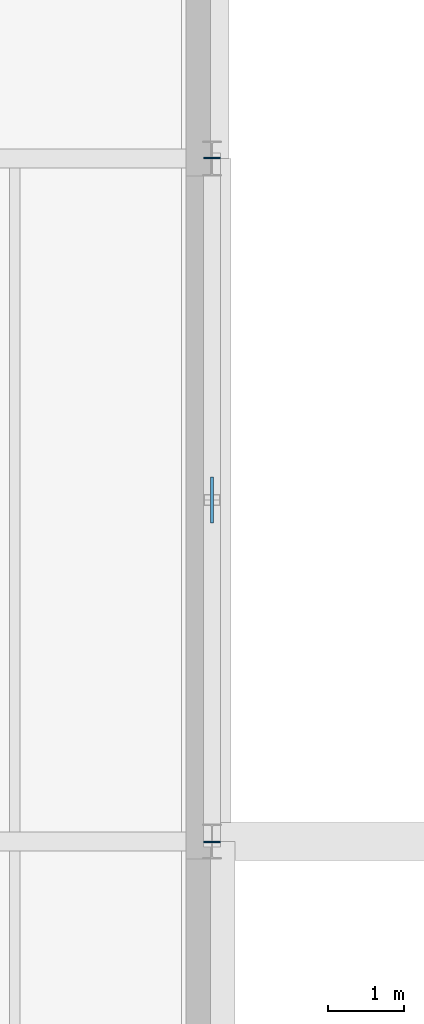
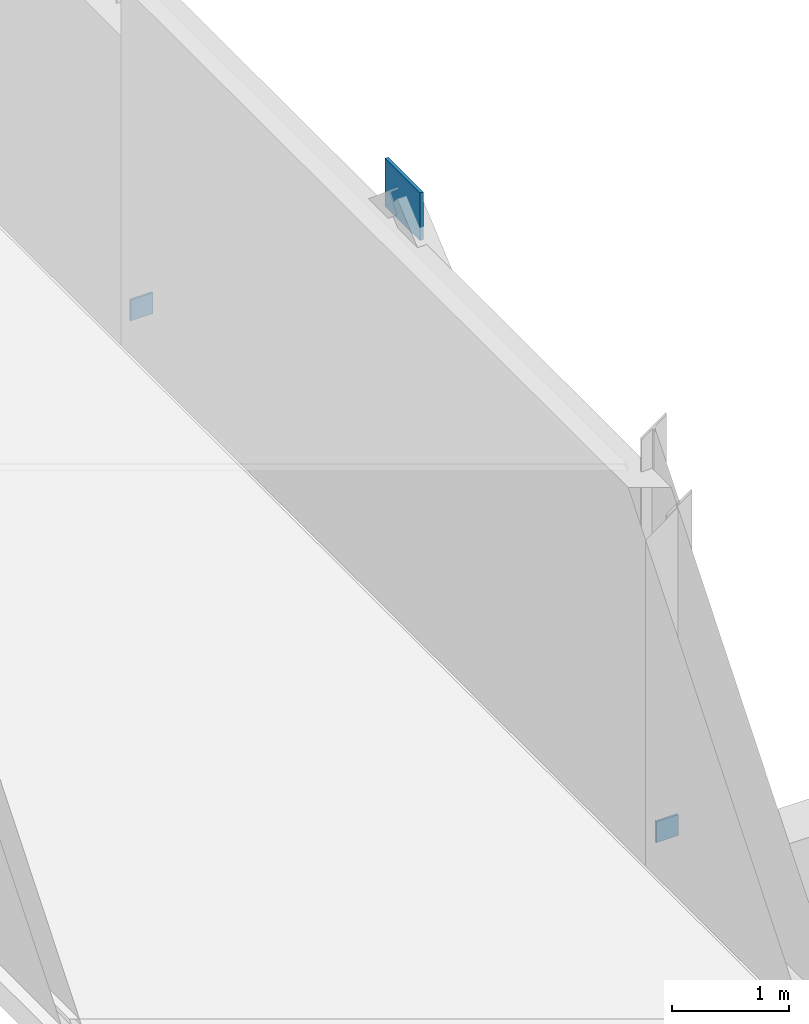
# One storey, part 67 of 85: 3 plates.
"""IFC4 building model written with IfcOpenShell, lengths in metres."""

import ifcopenshell
import ifcopenshell.guid

model = None  # the IFC model being written
_history = None  # IfcOwnerHistory: only IFC2X3 demands one
_inside = {}  # id of a spatial element -> (the spatial element, [elements in it])
_under = {}  # id of a project, library or spatial element -> (it, [spatial elements below it])
_declared = {}  # id of a project -> (the project, [libraries it declares])
_typed = {}  # id of a type object -> (the type object, [elements of that type])
_made_of = {}  # id of a material, layer set ... -> (it, [elements and type objects made of it])


def new_model(schema):
    """Start an empty IFC model of exactly this schema.

    Asked for "IFC4X3", IfcOpenShell would pick the latest addendum, in which some entities
    have other attributes; the version numbers below select the first issue.
    IFC2X3 requires an IfcOwnerHistory on every rooted entity: one is made here for all.
    """
    global model, _history
    if schema == "IFC4X3":
        model = ifcopenshell.file(schema_version=(4, 3, 0, 0))
    else:
        model = ifcopenshell.file(schema=schema)
    _inside.clear()
    _under.clear()
    _declared.clear()
    _typed.clear()
    _made_of.clear()
    _history = None
    if model.schema == "IFC2X3":
        org = make("IfcOrganization", Name="unknown")
        user = make(
            "IfcPersonAndOrganization",
            ThePerson=make("IfcPerson", FamilyName="unknown"),
            TheOrganization=org,
        )
        app = make(
            "IfcApplication",
            ApplicationDeveloper=org,
            Version="unknown",
            ApplicationFullName="unknown",
            ApplicationIdentifier="unknown",
        )
        _history = make(
            "IfcOwnerHistory",
            OwningUser=user,
            OwningApplication=app,
            ChangeAction="ADDED",
            CreationDate=0,
        )
    return model


def make(cls, **values):
    """One entity of the class cls with the attributes given. An attribute that is None is left unset."""
    return model.create_entity(
        cls, **{name: value for name, value in values.items() if value is not None}
    )


def rooted(cls, **values):
    """An entity with a GlobalId (a new one), such as an element, a storey or a relation."""
    return make(cls, GlobalId=ifcopenshell.guid.new(), OwnerHistory=_history, **values)


def si_unit(unit_type, name, prefix=None):
    """IfcSIUnit, for example si_unit("LENGTHUNIT", "METRE", prefix="MILLI")."""
    return make("IfcSIUnit", UnitType=unit_type, Prefix=prefix, Name=name)


def derived_unit(unit_type, elements):
    """IfcDerivedUnit: a product of units, each with its exponent."""
    return make(
        "IfcDerivedUnit",
        Elements=[
            make("IfcDerivedUnitElement", Unit=unit, Exponent=power)
            for unit, power in elements
        ],
        UnitType=unit_type,
    )


def assignment(units):
    """IfcUnitAssignment: the units of a project."""
    return None if units is None else make("IfcUnitAssignment", Units=units)


def point(xyz):
    """IfcCartesianPoint."""
    return None if xyz is None else make("IfcCartesianPoint", Coordinates=xyz)


def direction(xyz):
    """IfcDirection."""
    return None if xyz is None else make("IfcDirection", DirectionRatios=xyz)


def frame(location, z_axis=None, x_axis=None):
    """IfcAxis2Placement3D, a coordinate frame: its origin and axes. An axis left out is left unset."""
    return make(
        "IfcAxis2Placement3D",
        Location=point(location),
        Axis=direction(z_axis),
        RefDirection=direction(x_axis),
    )


def frame_2d(location, x_axis=None):
    """IfcAxis2Placement2D, a coordinate frame in the plane: its origin and x axis."""
    return make(
        "IfcAxis2Placement2D", Location=point(location), RefDirection=direction(x_axis)
    )


def origin():
    """The frame at (0, 0, 0) with its axes left unset."""
    return frame((0.0, 0.0, 0.0))


def origin_2d():
    """The frame at (0, 0) in the plane with its x axis left unset."""
    return frame_2d((0.0, 0.0))


def place(relative_to, where):
    """IfcLocalPlacement: puts the frame where relative to a parent placement (None: the world)."""
    return make(
        "IfcLocalPlacement", PlacementRelTo=relative_to, RelativePlacement=where
    )


def context(
    kind, dimensions, precision=None, world=None, true_north=None, identifier=None
):
    """IfcGeometricRepresentationContext, for example the 3D "Model" context."""
    return make(
        "IfcGeometricRepresentationContext",
        ContextIdentifier=identifier,
        ContextType=kind,
        CoordinateSpaceDimension=dimensions,
        Precision=precision,
        WorldCoordinateSystem=world,
        TrueNorth=true_north,
    )


def subcontext(parent, identifier, kind, view, scale=None):
    """IfcGeometricRepresentationSubContext, for example "Body" below "Model"."""
    return make(
        "IfcGeometricRepresentationSubContext",
        ContextIdentifier=identifier,
        ContextType=kind,
        ParentContext=parent,
        TargetScale=scale,
        TargetView=view,
    )


def project(units=None, contexts=None):
    """IfcProject with its units and contexts."""
    return rooted(
        "IfcProject",
        Name="project",
        RepresentationContexts=contexts,
        UnitsInContext=assignment(units),
    )


def spatial(cls, under=None, at=None, **own):
    """A site, building, storey or space (cls), placed at a placement, below another one or the project."""
    s = rooted(cls, ObjectPlacement=at, **own)
    if under is not None:
        _under.setdefault(under.id(), (under, []))[1].append(s)
    return s


def profile(cls, at=None, kind="AREA", **sizes):
    """A parametric profile (cls). Its sizes go by their IFC names, for example OverallWidth=200.0."""
    return make(cls, ProfileType=kind, Position=at, **sizes)


def rectangle(**sizes):
    """IfcRectangleProfileDef."""
    return profile("IfcRectangleProfileDef", **sizes)


def extrude(swept, where, along, depth):
    """IfcExtrudedAreaSolid: the profile swept, set in the frame where, extruded along a direction by depth."""
    return make(
        "IfcExtrudedAreaSolid",
        SweptArea=swept,
        Position=where,
        ExtrudedDirection=direction(along),
        Depth=depth,
    )


def shape(context_of_items, identifier, shape_type, items):
    """IfcShapeRepresentation: the items that make up one representation, for example the "Body"."""
    return make(
        "IfcShapeRepresentation",
        ContextOfItems=context_of_items,
        RepresentationIdentifier=identifier,
        RepresentationType=shape_type,
        Items=items,
    )


def material(Name=None, Category=None):
    """IfcMaterial."""
    return make("IfcMaterial", Name=Name, Category=Category)


def layer(
    of_material, thickness, ventilated=None, Name=None, Category=None, Priority=None
):
    """IfcMaterialLayer: one layer of a wall or slab, of a material (None: an air gap)."""
    return make(
        "IfcMaterialLayer",
        Material=of_material,
        LayerThickness=thickness,
        IsVentilated=ventilated,
        Name=Name,
        Category=Category,
        Priority=Priority,
    )


def layer_set(layers, Name=None):
    """IfcMaterialLayerSet."""
    return make("IfcMaterialLayerSet", MaterialLayers=layers, LayerSetName=Name)


def made_of(thing, what):
    """Note that an element or type object is made of a material, layer set ...; save() writes the relation."""
    if what is not None:
        _made_of.setdefault(what.id(), (what, []))[1].append(thing)
    return thing


def type_object(cls, material=None, **own):
    """A type object (cls), such as IfcWallType, which elements share."""
    return made_of(rooted(cls, **own), material)


def element(
    cls,
    number,
    at=None,
    inside=None,
    cuts=None,
    type_object=None,
    material=None,
    context=None,
    identifier="Body",
    shape_type=None,
    held_by="IfcProductDefinitionShape",
    body=None,
    shapes=None,
    **own,
):
    """One element of the class cls, such as IfcWall. Its Tag is "e" and its number.

    at: its placement. inside: the storey or other place that contains it. cuts: it is an
    opening in that element (IfcRelVoidsElement). A single representation is given by context,
    identifier, shape_type and body (its items); several are given by shapes. held_by: the class
    of the entity that holds the representations. save() writes the other relations.
    """
    e = rooted(cls, Tag="e%d" % number, ObjectPlacement=at, **own)
    if body is not None:
        shapes = [shape(context, identifier, shape_type, body)]
    if shapes is not None:
        e.Representation = make(held_by, Representations=shapes)
    if inside is not None:
        _inside.setdefault(inside.id(), (inside, []))[1].append(e)
    if cuts is not None:
        rooted(
            "IfcRelVoidsElement", RelatingBuildingElement=cuts, RelatedOpeningElement=e
        )
    if type_object is not None:
        _typed.setdefault(type_object.id(), (type_object, []))[1].append(e)
    return made_of(e, material)


def aggregate(whole, parts):
    """IfcRelAggregates: a whole, such as a stair, and the parts it consists of."""
    return rooted("IfcRelAggregates", RelatingObject=whole, RelatedObjects=parts)


def save(model, path):
    """Write the relations noted so far, then the file.

    IfcRelAggregates (storeys below a building ...), IfcRelContainedInSpatialStructure (elements
    in a storey), IfcRelDefinesByType, IfcRelAssociatesMaterial and IfcRelDeclares: one each for
    every whole, place, type object, material and project.
    """
    for whole, parts in _under.values():
        aggregate(whole, parts)
    for where, things in _inside.values():
        rooted(
            "IfcRelContainedInSpatialStructure",
            RelatedElements=things,
            RelatingStructure=where,
        )
    for kind, things in _typed.values():
        rooted("IfcRelDefinesByType", RelatedObjects=things, RelatingType=kind)
    for what, things in _made_of.values():
        rooted("IfcRelAssociatesMaterial", RelatedObjects=things, RelatingMaterial=what)
    for by, libraries in _declared.values():
        rooted("IfcRelDeclares", RelatingContext=by, RelatedDefinitions=libraries)
    model.write(path)


model = new_model("IFC4")

# Units and contexts
model_context = context("Model", 3, precision=1e-05, world=origin(), true_north=direction((0.0, 1.0)))
body_context = subcontext(model_context, "Body", "Model", "MODEL_VIEW")
ifc_project = project(units=[si_unit("LENGTHUNIT", "METRE"), si_unit("AREAUNIT", "SQUARE_METRE"), si_unit("VOLUMEUNIT", "CUBIC_METRE"), si_unit("PLANEANGLEUNIT", "RADIAN"), si_unit("MASSUNIT", "GRAM", prefix="KILO"), derived_unit("THERMALTRANSMITTANCEUNIT", [(si_unit("POWERUNIT", "WATT"), 1), (si_unit("LENGTHUNIT", "METRE"), -2), (si_unit("THERMODYNAMICTEMPERATUREUNIT", "KELVIN"), -1)])], contexts=[model_context])

# Site, building, storey
site_placement = place(None, origin())
site = spatial("IfcSite", under=ifc_project, at=site_placement, CompositionType="ELEMENT")
building_placement = place(site_placement, origin())
building = spatial("IfcBuilding", under=site, at=building_placement, Name="Nallur Shell Playhouse", CompositionType="ELEMENT")
storey_placement = place(building_placement, frame((0.0, 0.0, 19.800048828125)))
storey = spatial("IfcBuildingStorey", under=building, at=storey_placement, Name="L05", CompositionType="ELEMENT", Elevation=19.800048828125)

# Plates
ifc_material = material(Name="Steel E350", Category="steel")
ifc_layer_1 = layer(ifc_material, 0.02001953125)
ifc_layer_set_1 = layer_set([ifc_layer_1], Name="Steel E350")
plate_type_1 = type_object("IfcPlateType", Name="PT-ENDCAP-20", PredefinedType="SHEET", material=ifc_layer_set_1)
for number, where, z_axis, x_axis, name in (
    (1, (103.0, 55.992431640625, 0.03369140625), (0.0, 0.0, 1.0), (1.0, 0.0, 0.0), "Hollow end cap EC-BR-FT-L05-035-0"),
    (2, (103.0, 65.007568359375, 0.03369140625), (0.0, 0.0, 1.0), (1.0, 0.0, 0.0), "Hollow end cap EC-BR-FT-L05-036-0"),
):
    element("IfcPlate", number, at=place(storey_placement, frame(where, z_axis=z_axis, x_axis=x_axis)), inside=storey, type_object=plate_type_1, Name=name, PredefinedType="SHEET", context=body_context, shape_type="SweptSolid", body=[
        extrude(rectangle(XDim=0.219970703125, YDim=0.02001953125, at=origin_2d()), origin(), (0.0, 0.0, 1.0), 0.219970703125),
    ])
ifc_layer_2 = layer(ifc_material, 0.034912109375)
ifc_layer_set_2 = layer_set([ifc_layer_2], Name="Steel E350")
plate_type_2 = type_object("IfcPlateType", Name="PT-GUSSET-35", PredefinedType="USERDEFINED", material=ifc_layer_set_2)
plate_placement = place(storey_placement, frame((103.0, 60.5, 3.75), z_axis=(0.0, 0.0, 1.0), x_axis=(1.0, 0.0, 0.0)))
element("IfcPlate", 3, at=plate_placement, inside=storey, type_object=plate_type_2, Name="Fly tower chevron node gusset plate TN-02 (L05)", ObjectType="GUSSET PLATE", PredefinedType="USERDEFINED", context=body_context, shape_type="SweptSolid", body=[
    extrude(rectangle(XDim=0.034912109375, YDim=0.60009765625, at=origin_2d()), origin(), (0.0, 0.0, 1.0), 0.5),
])

save(model, "model.ifc")
